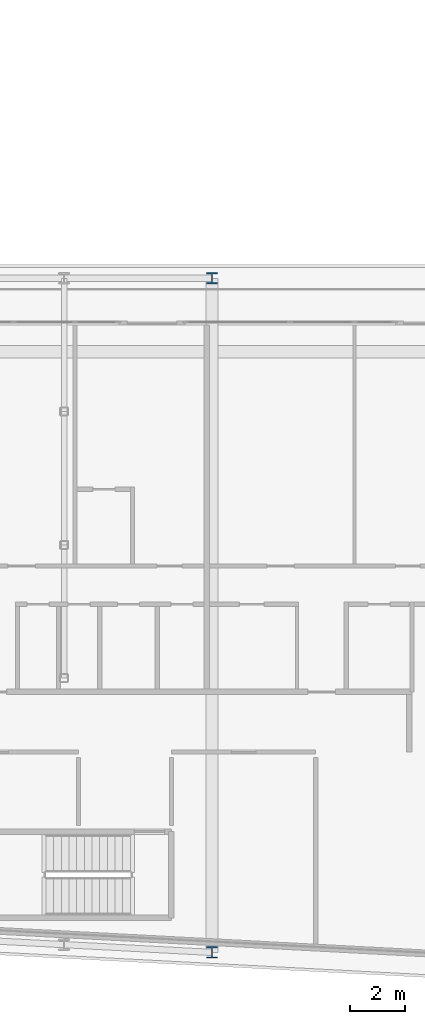
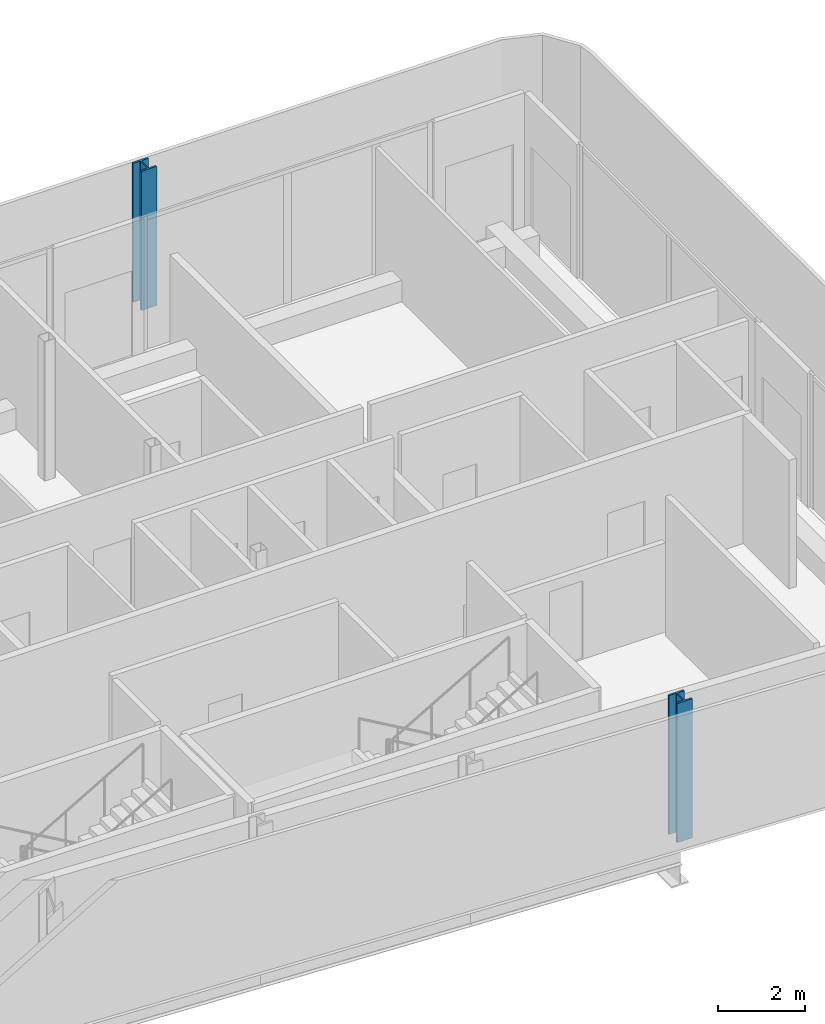
# One storey, part 4 of 29: 2 columns.
"""IFC4 building model written with IfcOpenShell, lengths in metres."""

import ifcopenshell
import ifcopenshell.guid

model = None  # the IFC model being written
_history = None  # IfcOwnerHistory: only IFC2X3 demands one
_inside = {}  # id of a spatial element -> (the spatial element, [elements in it])
_under = {}  # id of a project, library or spatial element -> (it, [spatial elements below it])
_declared = {}  # id of a project -> (the project, [libraries it declares])
_typed = {}  # id of a type object -> (the type object, [elements of that type])
_made_of = {}  # id of a material, layer set ... -> (it, [elements and type objects made of it])


def new_model(schema):
    """Start an empty IFC model of exactly this schema.

    Asked for "IFC4X3", IfcOpenShell would pick the latest addendum, in which some entities
    have other attributes; the version numbers below select the first issue.
    IFC2X3 requires an IfcOwnerHistory on every rooted entity: one is made here for all.
    """
    global model, _history
    if schema == "IFC4X3":
        model = ifcopenshell.file(schema_version=(4, 3, 0, 0))
    else:
        model = ifcopenshell.file(schema=schema)
    _inside.clear()
    _under.clear()
    _declared.clear()
    _typed.clear()
    _made_of.clear()
    _history = None
    if model.schema == "IFC2X3":
        org = make("IfcOrganization", Name="unknown")
        user = make(
            "IfcPersonAndOrganization",
            ThePerson=make("IfcPerson", FamilyName="unknown"),
            TheOrganization=org,
        )
        app = make(
            "IfcApplication",
            ApplicationDeveloper=org,
            Version="unknown",
            ApplicationFullName="unknown",
            ApplicationIdentifier="unknown",
        )
        _history = make(
            "IfcOwnerHistory",
            OwningUser=user,
            OwningApplication=app,
            ChangeAction="ADDED",
            CreationDate=0,
        )
    return model


def make(cls, **values):
    """One entity of the class cls with the attributes given. An attribute that is None is left unset."""
    return model.create_entity(
        cls, **{name: value for name, value in values.items() if value is not None}
    )


def rooted(cls, **values):
    """An entity with a GlobalId (a new one), such as an element, a storey or a relation."""
    return make(cls, GlobalId=ifcopenshell.guid.new(), OwnerHistory=_history, **values)


def si_unit(unit_type, name, prefix=None):
    """IfcSIUnit, for example si_unit("LENGTHUNIT", "METRE", prefix="MILLI")."""
    return make("IfcSIUnit", UnitType=unit_type, Prefix=prefix, Name=name)


def assignment(units):
    """IfcUnitAssignment: the units of a project."""
    return None if units is None else make("IfcUnitAssignment", Units=units)


def point(xyz):
    """IfcCartesianPoint."""
    return None if xyz is None else make("IfcCartesianPoint", Coordinates=xyz)


def direction(xyz):
    """IfcDirection."""
    return None if xyz is None else make("IfcDirection", DirectionRatios=xyz)


def frame(location, z_axis=None, x_axis=None):
    """IfcAxis2Placement3D, a coordinate frame: its origin and axes. An axis left out is left unset."""
    return make(
        "IfcAxis2Placement3D",
        Location=point(location),
        Axis=direction(z_axis),
        RefDirection=direction(x_axis),
    )


def frame_2d(location, x_axis=None):
    """IfcAxis2Placement2D, a coordinate frame in the plane: its origin and x axis."""
    return make(
        "IfcAxis2Placement2D", Location=point(location), RefDirection=direction(x_axis)
    )


def origin():
    """The frame at (0, 0, 0) with its axes left unset."""
    return frame((0.0, 0.0, 0.0))


def origin_2d():
    """The frame at (0, 0) in the plane with its x axis left unset."""
    return frame_2d((0.0, 0.0))


def place(relative_to, where):
    """IfcLocalPlacement: puts the frame where relative to a parent placement (None: the world)."""
    return make(
        "IfcLocalPlacement", PlacementRelTo=relative_to, RelativePlacement=where
    )


def context(
    kind, dimensions, precision=None, world=None, true_north=None, identifier=None
):
    """IfcGeometricRepresentationContext, for example the 3D "Model" context."""
    return make(
        "IfcGeometricRepresentationContext",
        ContextIdentifier=identifier,
        ContextType=kind,
        CoordinateSpaceDimension=dimensions,
        Precision=precision,
        WorldCoordinateSystem=world,
        TrueNorth=true_north,
    )


def subcontext(parent, identifier, kind, view, scale=None):
    """IfcGeometricRepresentationSubContext, for example "Body" below "Model"."""
    return make(
        "IfcGeometricRepresentationSubContext",
        ContextIdentifier=identifier,
        ContextType=kind,
        ParentContext=parent,
        TargetScale=scale,
        TargetView=view,
    )


def project(units=None, contexts=None):
    """IfcProject with its units and contexts."""
    return rooted(
        "IfcProject",
        Name="project",
        RepresentationContexts=contexts,
        UnitsInContext=assignment(units),
    )


def spatial(cls, under=None, at=None, **own):
    """A site, building, storey or space (cls), placed at a placement, below another one or the project."""
    s = rooted(cls, ObjectPlacement=at, **own)
    if under is not None:
        _under.setdefault(under.id(), (under, []))[1].append(s)
    return s


def profile(cls, at=None, kind="AREA", **sizes):
    """A parametric profile (cls). Its sizes go by their IFC names, for example OverallWidth=200.0."""
    return make(cls, ProfileType=kind, Position=at, **sizes)


def i_section(**sizes):
    """IfcIShapeProfileDef."""
    return profile("IfcIShapeProfileDef", **sizes)


def extrude(swept, where, along, depth):
    """IfcExtrudedAreaSolid: the profile swept, set in the frame where, extruded along a direction by depth."""
    return make(
        "IfcExtrudedAreaSolid",
        SweptArea=swept,
        Position=where,
        ExtrudedDirection=direction(along),
        Depth=depth,
    )


def shape(context_of_items, identifier, shape_type, items):
    """IfcShapeRepresentation: the items that make up one representation, for example the "Body"."""
    return make(
        "IfcShapeRepresentation",
        ContextOfItems=context_of_items,
        RepresentationIdentifier=identifier,
        RepresentationType=shape_type,
        Items=items,
    )


def material(Name=None, Category=None):
    """IfcMaterial."""
    return make("IfcMaterial", Name=Name, Category=Category)


def material_profile(
    of_material, cross_section, Name=None, Category=None, Priority=None
):
    """IfcMaterialProfile: a cross section and its material."""
    return make(
        "IfcMaterialProfile",
        Name=Name,
        Material=of_material,
        Profile=cross_section,
        Priority=Priority,
        Category=Category,
    )


def profile_set(profiles, Name=None, composite=None):
    """IfcMaterialProfileSet."""
    return make(
        "IfcMaterialProfileSet",
        Name=Name,
        MaterialProfiles=profiles,
        CompositeProfile=composite,
    )


def made_of(thing, what):
    """Note that an element or type object is made of a material, layer set ...; save() writes the relation."""
    if what is not None:
        _made_of.setdefault(what.id(), (what, []))[1].append(thing)
    return thing


def type_object(cls, material=None, **own):
    """A type object (cls), such as IfcWallType, which elements share."""
    return made_of(rooted(cls, **own), material)


def element(
    cls,
    number,
    at=None,
    inside=None,
    cuts=None,
    type_object=None,
    material=None,
    context=None,
    identifier="Body",
    shape_type=None,
    held_by="IfcProductDefinitionShape",
    body=None,
    shapes=None,
    **own,
):
    """One element of the class cls, such as IfcWall. Its Tag is "e" and its number.

    at: its placement. inside: the storey or other place that contains it. cuts: it is an
    opening in that element (IfcRelVoidsElement). A single representation is given by context,
    identifier, shape_type and body (its items); several are given by shapes. held_by: the class
    of the entity that holds the representations. save() writes the other relations.
    """
    e = rooted(cls, Tag="e%d" % number, ObjectPlacement=at, **own)
    if body is not None:
        shapes = [shape(context, identifier, shape_type, body)]
    if shapes is not None:
        e.Representation = make(held_by, Representations=shapes)
    if inside is not None:
        _inside.setdefault(inside.id(), (inside, []))[1].append(e)
    if cuts is not None:
        rooted(
            "IfcRelVoidsElement", RelatingBuildingElement=cuts, RelatedOpeningElement=e
        )
    if type_object is not None:
        _typed.setdefault(type_object.id(), (type_object, []))[1].append(e)
    return made_of(e, material)


def aggregate(whole, parts):
    """IfcRelAggregates: a whole, such as a stair, and the parts it consists of."""
    return rooted("IfcRelAggregates", RelatingObject=whole, RelatedObjects=parts)


def save(model, path):
    """Write the relations noted so far, then the file.

    IfcRelAggregates (storeys below a building ...), IfcRelContainedInSpatialStructure (elements
    in a storey), IfcRelDefinesByType, IfcRelAssociatesMaterial and IfcRelDeclares: one each for
    every whole, place, type object, material and project.
    """
    for whole, parts in _under.values():
        aggregate(whole, parts)
    for where, things in _inside.values():
        rooted(
            "IfcRelContainedInSpatialStructure",
            RelatedElements=things,
            RelatingStructure=where,
        )
    for kind, things in _typed.values():
        rooted("IfcRelDefinesByType", RelatedObjects=things, RelatingType=kind)
    for what, things in _made_of.values():
        rooted("IfcRelAssociatesMaterial", RelatedObjects=things, RelatingMaterial=what)
    for by, libraries in _declared.values():
        rooted("IfcRelDeclares", RelatingContext=by, RelatedDefinitions=libraries)
    model.write(path)


model = new_model("IFC4")

# Units and contexts
model_context = context("Model", 3, precision=1e-05, world=origin(), true_north=direction((0.0, 1.0)))
body_context = subcontext(model_context, "Body", "Model", "MODEL_VIEW")
ifc_project = project(units=[si_unit("LENGTHUNIT", "METRE"), si_unit("AREAUNIT", "SQUARE_METRE"), si_unit("VOLUMEUNIT", "CUBIC_METRE"), si_unit("PLANEANGLEUNIT", "RADIAN"), si_unit("MASSUNIT", "GRAM", prefix="KILO")], contexts=[model_context])

# Site, building, storey
site_placement = place(None, origin())
site = spatial("IfcSite", under=ifc_project, at=site_placement, CompositionType="ELEMENT")
building_placement = place(site_placement, origin())
building = spatial("IfcBuilding", under=site, at=building_placement, Name="Kheshtan School and Residences Tower", CompositionType="ELEMENT")
storey_placement = place(building_placement, frame((0.0, 0.0, 183.800048828125)))
storey = spatial("IfcBuildingStorey", under=building, at=storey_placement, Name="L43", CompositionType="ELEMENT", Elevation=183.800048828125)

# Columns
ifc_material = material(Name="Steel ASTM A992 Grade 50", Category="steel")
ifc_material_profile = material_profile(ifc_material, i_section(OverallWidth=0.408935546875, OverallDepth=0.425048828125, WebThickness=0.03271484375, FlangeThickness=0.052490234375, FilletRadius=0.0126953125, at=origin_2d()), Name="W360x421")
ifc_profile_set = profile_set([ifc_material_profile], Name="Steel ASTM A992 Grade 50")
column_type = type_object("IfcColumnType", Name="Column C3 W360x421 ASTM A992 Grade 50", PredefinedType="COLUMN", material=ifc_profile_set)
for number, where, z_axis, x_axis, name in (
    (1, (90.800048828125, 20.989990234375, 0.0), (0.0, 0.0, 1.0), (1.0, 0.0, 0.0), "Column C006"),
    (2, (90.800048828125, 45.60009765625, 0.0), (0.0, 0.0, 1.0), (1.0, 0.0, 0.0), "Column C068"),
):
    element("IfcColumn", number, at=place(storey_placement, frame(where, z_axis=z_axis, x_axis=x_axis)), inside=storey, type_object=column_type, Name=name, PredefinedType="COLUMN", context=body_context, shape_type="SweptSolid", body=[
        extrude(i_section(OverallWidth=0.408935546875, OverallDepth=0.425048828125, WebThickness=0.03271484375, FlangeThickness=0.052490234375, FilletRadius=0.0126953125, at=origin_2d()), origin(), (0.0, 0.0, 1.0), 3.89990234375),
    ])

save(model, "model.ifc")
